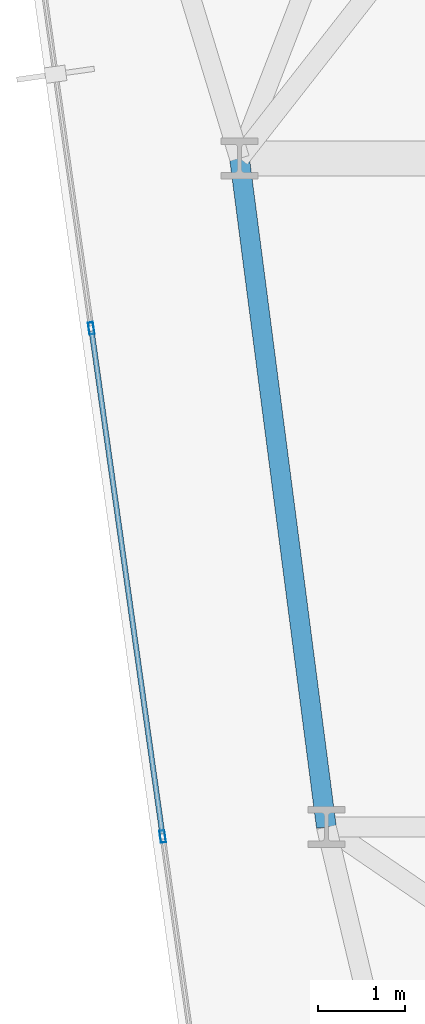
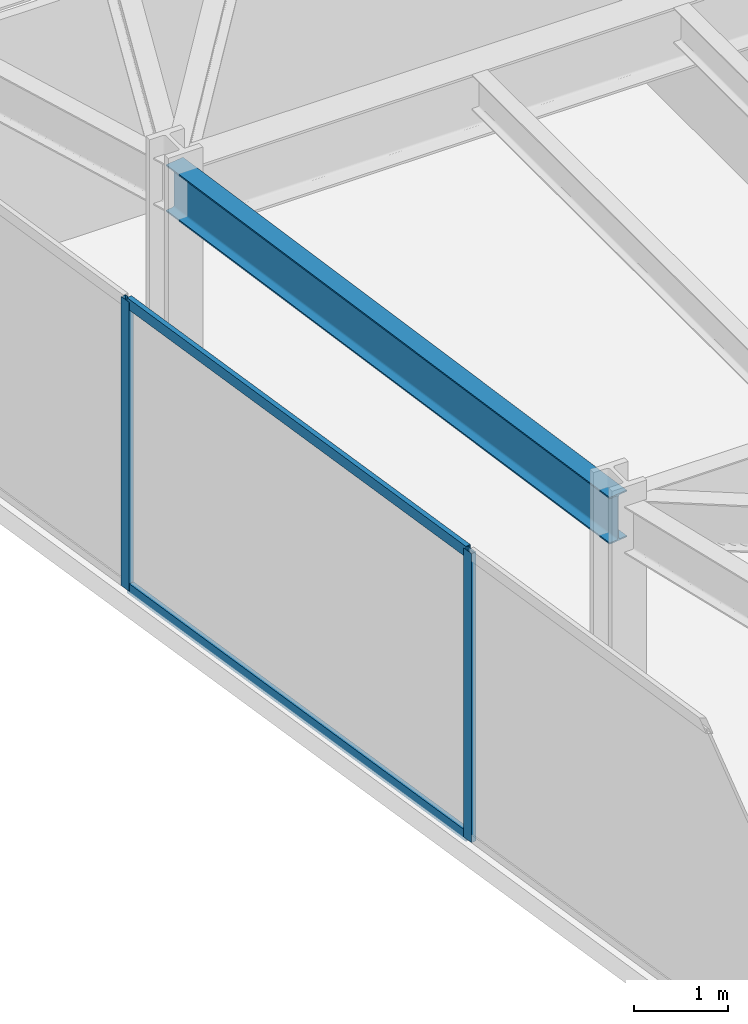
# One storey, part 5 of 26: 4 members, 1 beam, 1 element without a shape of its own.
"""IFC4 building model written with IfcOpenShell, lengths in metres."""

from ifc_helpers import new_model, si_unit, direction, frame, origin, origin_2d, place, context, subcontext, project, spatial, hollow_rectangle, i_section, extrude, material, layer, layer_set, material_profile, profile_set, type_object, element, aggregate, save


model = new_model("IFC4")

# Units and contexts
model_context = context("Model", 3, precision=1e-05, world=origin(), true_north=direction((0.0, 1.0)))
body_context = subcontext(model_context, "Body", "Model", "MODEL_VIEW")
ifc_project = project(units=[si_unit("LENGTHUNIT", "METRE"), si_unit("AREAUNIT", "SQUARE_METRE"), si_unit("VOLUMEUNIT", "CUBIC_METRE"), si_unit("PLANEANGLEUNIT", "RADIAN"), si_unit("MASSUNIT", "GRAM", prefix="KILO")], contexts=[model_context])

# Site, building, storey
site_placement = place(None, origin())
site = spatial("IfcSite", under=ifc_project, at=site_placement, CompositionType="ELEMENT")
building_placement = place(site_placement, origin())
building = spatial("IfcBuilding", under=site, at=building_placement, Name="Kravanh Interchange Tower", CompositionType="ELEMENT")
storey_placement = place(building_placement, frame((0.0, 0.0, 116.0)))
storey = spatial("IfcBuildingStorey", under=building, at=storey_placement, Name="L27", CompositionType="ELEMENT", Elevation=116.0)

# Curtain wall, members
ifc_material_1 = material(Name="Anodised Bronze Aluminium", Category="aluminium")
ifc_layer = layer(ifc_material_1, 0.179931640625)
ifc_layer_set = layer_set([ifc_layer], Name="Unitised Curtain Wall System CW-Z2 Mid Office")
curtain_wall_type = type_object("IfcCurtainWallType", Name="Unitised Curtain Wall System CW-Z2 Mid Office", PredefinedType="NOTDEFINED", material=ifc_layer_set)
curtain_wall_placement = place(storey_placement, origin())
curtain_wall = element("IfcCurtainWall", 1, at=curtain_wall_placement, inside=storey, type_object=curtain_wall_type, Name="L27 Unitised Curtain Wall CW-L27-01", PredefinedType="NOTDEFINED")
ifc_material_2 = material(Name="Anodised Bronze Aluminium", Category="aluminium")
ifc_material_profile_1 = material_profile(ifc_material_2, hollow_rectangle(XDim=0.06005859375, YDim=0.139892578125, WallThickness=0.00390625, at=origin_2d()), Name="ALU60X140X4")
ifc_profile_set_1 = profile_set([ifc_material_profile_1], Name="Anodised Bronze Aluminium")
member_type_1 = type_object("IfcMemberType", Name="Curtain Wall Mullion ALU60X140X4 Bronze", PredefinedType="MULLION", material=ifc_profile_set_1)
member_1_placement = place(storey_placement, frame((14.114990234375, 14.390869140625, 0.0), z_axis=(0.0, 0.0, 1.0), x_axis=(-0.990268103846, -0.13917285118, 0.0)))
member_1 = element("IfcMember", 2, at=member_1_placement, type_object=member_type_1, Name="CW-Z2 mullion 2", PredefinedType="MULLION", context=body_context, shape_type="SweptSolid", body=[
    extrude(hollow_rectangle(XDim=0.06005859375, YDim=0.139892578125, WallThickness=0.00390625, at=origin_2d()), origin(), (0.0, 0.0, 1.0), 3.75),
])
member_2_placement = place(storey_placement, frame((13.29248046875, 20.2431640625, 0.0), z_axis=(0.0, 0.0, 1.0), x_axis=(-0.990268103846, -0.13917285118, 0.0)))
member_2 = element("IfcMember", 3, at=member_2_placement, type_object=member_type_1, Name="CW-Z2 mullion 3", PredefinedType="MULLION", context=body_context, shape_type="SweptSolid", body=[
    extrude(hollow_rectangle(XDim=0.06005859375, YDim=0.139892578125, WallThickness=0.00390625, at=origin_2d()), origin(), (0.0, 0.0, 1.0), 3.75),
])
ifc_material_3 = material(Name="Anodised Bronze Aluminium", Category="aluminium")
ifc_material_profile_2 = material_profile(ifc_material_3, hollow_rectangle(XDim=0.06005859375, YDim=0.139892578125, WallThickness=0.00390625, at=origin_2d()), Name="ALU60X140X4")
ifc_profile_set_2 = profile_set([ifc_material_profile_2], Name="Anodised Bronze Aluminium")
member_type_2 = type_object("IfcMemberType", Name="Curtain Wall Transom ALU60X140X4 Bronze", PredefinedType="USERDEFINED", material=ifc_profile_set_2)
member_3_placement = place(storey_placement, frame((14.11083984375, 14.420654296875, 0.030029296875), z_axis=(-0.139183212647, 0.990266647584, 0.0), x_axis=(-0.990266647584, -0.139183212647, 0.0)))
member_3 = element("IfcMember", 4, at=member_3_placement, type_object=member_type_2, Name="CW-Z2 transom 2.1", ObjectType="TRANSOM", PredefinedType="USERDEFINED", context=body_context, shape_type="SweptSolid", body=[
    extrude(hollow_rectangle(XDim=0.06005859375, YDim=0.139892578125, WallThickness=0.00390625, at=origin_2d()), origin(), (0.0, 0.0, 1.0), 5.849853515625),
])
member_4_placement = place(storey_placement, frame((14.11083984375, 14.420654296875, 3.719970703125), z_axis=(-0.139183212647, 0.990266647584, 0.0), x_axis=(-0.990266647584, -0.139183212647, 0.0)))
member_4 = element("IfcMember", 5, at=member_4_placement, type_object=member_type_2, Name="CW-Z2 transom 2.2", ObjectType="TRANSOM", PredefinedType="USERDEFINED", context=body_context, shape_type="SweptSolid", body=[
    extrude(hollow_rectangle(XDim=0.06005859375, YDim=0.139892578125, WallThickness=0.00390625, at=origin_2d()), origin(), (0.0, 0.0, 1.0), 5.849853515625),
])
aggregate(curtain_wall, [member_1, member_2, member_3, member_4])

# Beam
ifc_material_4 = material(Name="Structural Steel S355", Category="steel")
ifc_material_profile_3 = material_profile(ifc_material_4, i_section(OverallWidth=0.22802734375, OverallDepth=0.60791015625, WebThickness=0.01123046875, FlangeThickness=0.017333984375, FilletRadius=0.02197265625, at=origin_2d()), Name="W24X76")
ifc_profile_set_3 = profile_set([ifc_material_profile_3], Name="Structural Steel S355")
beam_type = type_object("IfcBeamType", Name="Floor Spandrel W24X76 Structural Steel S355", PredefinedType="SPANDREL", material=ifc_profile_set_3)
beam_placement = place(storey_placement, frame((16.0, 14.5, 3.446044921875), z_axis=(-0.128789384125, 0.99167196922, 0.0), x_axis=(-0.99167196922, -0.128789384125, 0.0)))
element("IfcBeam", 6, at=beam_placement, inside=storey, type_object=beam_type, Name="L27 Perimeter Spandrel 100", PredefinedType="SPANDREL", context=body_context, shape_type="SweptSolid", body=[
    extrude(i_section(OverallWidth=0.22802734375, OverallDepth=0.60791015625, WebThickness=0.01123046875, FlangeThickness=0.017333984375, FilletRadius=0.02197265625, at=origin_2d()), origin(), (0.0, 0.0, 1.0), 7.7646484375),
])

save(model, "model.ifc")
